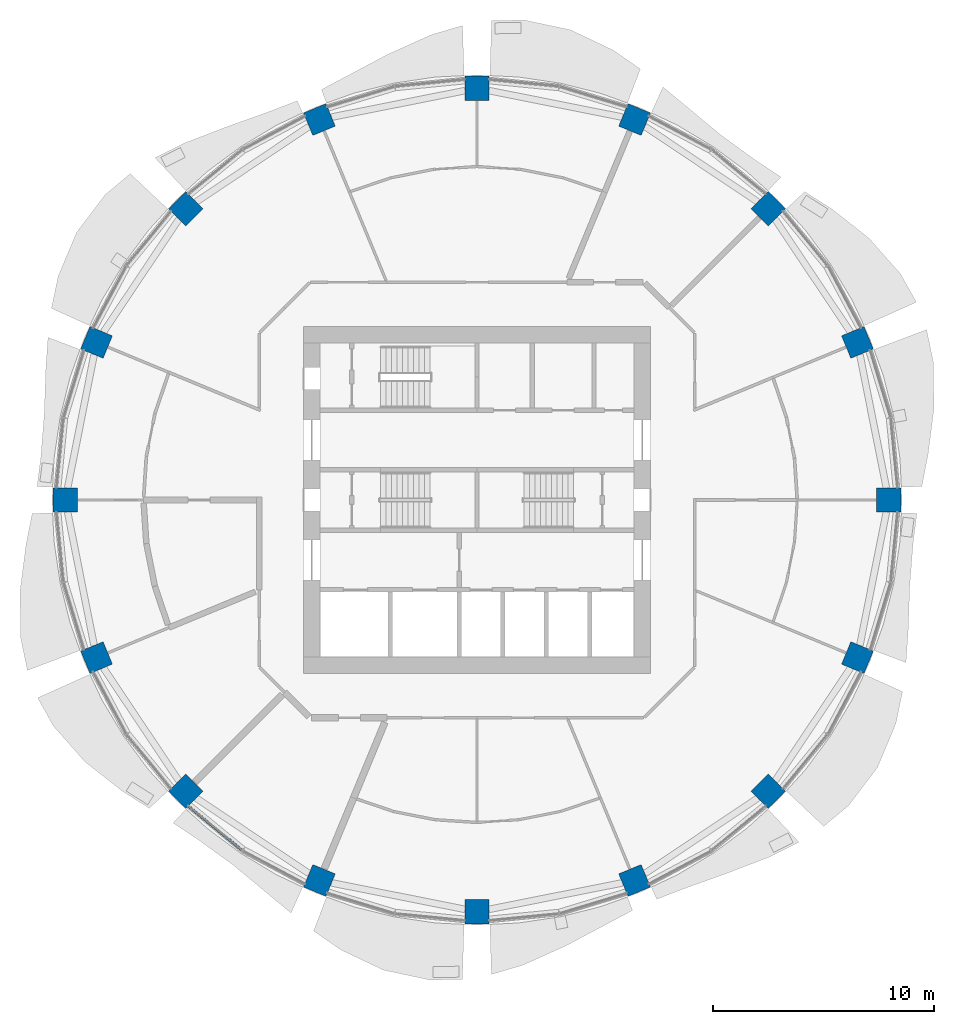
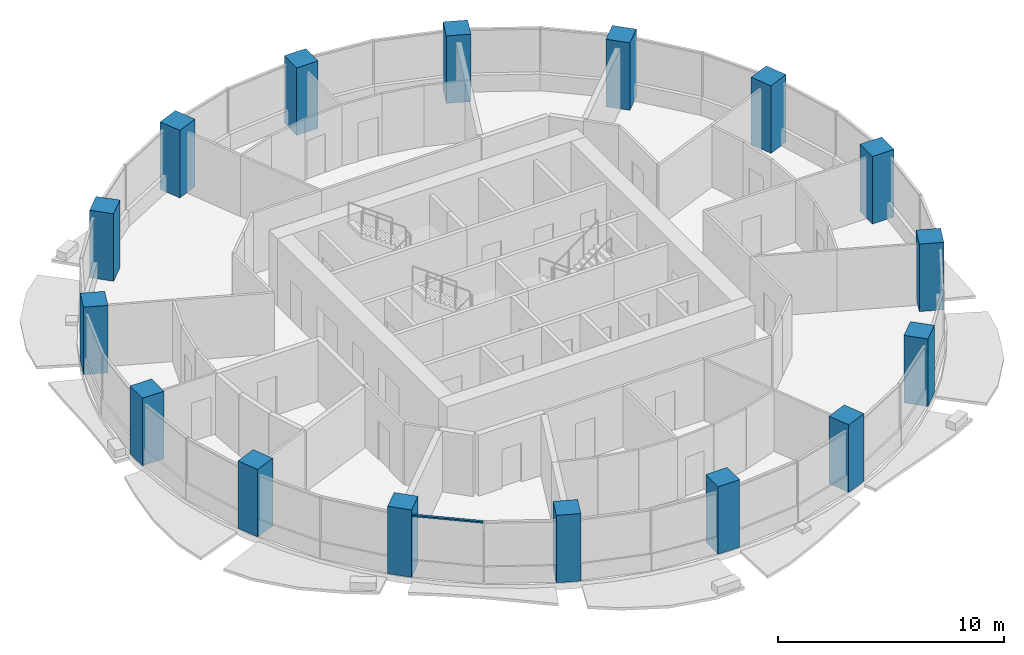
# One storey, part 1 of 14: 16 columns, 1 member, 1 element without a shape of its own.
"""IFC4 building model written with IfcOpenShell, lengths in metres."""

from ifc_helpers import new_model, si_unit, direction, frame, origin, origin_2d, place, context, subcontext, project, spatial, rectangle, extrude, material, material_profile, profile_set, type_object, element, aggregate, save


model = new_model("IFC4")

# Units and contexts
model_context = context("Model", 3, precision=1e-05, world=origin(), true_north=direction((0.0, 1.0)))
body_context = subcontext(model_context, "Body", "Model", "MODEL_VIEW")
ifc_project = project(units=[si_unit("LENGTHUNIT", "METRE"), si_unit("AREAUNIT", "SQUARE_METRE"), si_unit("VOLUMEUNIT", "CUBIC_METRE"), si_unit("PLANEANGLEUNIT", "RADIAN"), si_unit("MASSUNIT", "GRAM", prefix="KILO")], contexts=[model_context])

# Site, building, storey
site_placement = place(None, origin())
site = spatial("IfcSite", under=ifc_project, at=site_placement, CompositionType="ELEMENT")
building_placement = place(site_placement, origin())
building = spatial("IfcBuilding", under=site, at=building_placement, Name="Polderwave Tower", CompositionType="ELEMENT")
storey_placement = place(building_placement, frame((0.0, 0.0, 101.949951171875)))
storey = spatial("IfcBuildingStorey", under=building, at=storey_placement, Name="L26", CompositionType="ELEMENT", Elevation=101.949951171875)

# Columns
ifc_material_1 = material(Name="Concrete C70/85", Category="concrete")
ifc_material_profile_1 = material_profile(ifc_material_1, rectangle(XDim=1.10009765625, YDim=1.10009765625, at=origin_2d()), Name="RC 1100x1100")
ifc_profile_set_1 = profile_set([ifc_material_profile_1], Name="Concrete C70/85")
column_type = type_object("IfcColumnType", Name="RC COLUMN 1100x1100 C70/85", PredefinedType="COLUMN", material=ifc_profile_set_1)
for number, where, z_axis, x_axis, name in (
    (1, (18.669921875, 0.0, 0.0), (0.0, 0.0, 1.0), (1.0, 0.0, 0.0), "Ring column 01"),
    (2, (17.248779296875, 7.144775390625, 0.0), (0.0, 0.0, 1.0), (0.923879532511, 0.382683432365, 0.0), "Ring column 02"),
    (3, (13.20166015625, 13.20166015625, 0.0), (0.0, 0.0, 1.0), (0.707106781187, 0.707106781187, 0.0), "Ring column 03"),
    (4, (7.144775390625, 17.248779296875, 0.0), (0.0, 0.0, 1.0), (0.382683432365, 0.923879532511, 0.0), "Ring column 04"),
    (5, (0.0, 18.669921875, 0.0), (0.0, 0.0, 1.0), (0.0, 1.0, 0.0), "Ring column 05"),
    (6, (-7.144775390625, 17.248779296875, 0.0), (0.0, 0.0, 1.0), (-0.382683432365, 0.923879532511, 0.0), "Ring column 06"),
    (7, (-13.20166015625, 13.20166015625, 0.0), (0.0, 0.0, 1.0), (-0.707106781187, 0.707106781187, 0.0), "Ring column 07"),
    (8, (-17.248779296875, 7.144775390625, 0.0), (0.0, 0.0, 1.0), (-0.923879532511, 0.382683432365, 0.0), "Ring column 08"),
    (9, (-18.669921875, 0.0, 0.0), (0.0, 0.0, 1.0), (-1.0, 0.0, 0.0), "Ring column 09"),
    (10, (-17.248779296875, -7.144775390625, 0.0), (0.0, 0.0, 1.0), (-0.923879532511, -0.382683432365, 0.0), "Ring column 10"),
    (11, (-13.20166015625, -13.20166015625, 0.0), (0.0, 0.0, 1.0), (-0.707106781187, -0.707106781187, 0.0), "Ring column 11"),
    (12, (-7.144775390625, -17.248779296875, 0.0), (0.0, 0.0, 1.0), (-0.382683432365, -0.923879532511, 0.0), "Ring column 12"),
    (13, (0.0, -18.669921875, 0.0), (0.0, 0.0, 1.0), (0.0, -1.0, 0.0), "Ring column 13"),
    (14, (7.144775390625, -17.248779296875, 0.0), (0.0, 0.0, 1.0), (0.382683432365, -0.923879532511, 0.0), "Ring column 14"),
    (15, (13.20166015625, -13.20166015625, 0.0), (0.0, 0.0, 1.0), (0.707106781187, -0.707106781187, 0.0), "Ring column 15"),
    (16, (17.248779296875, -7.144775390625, 0.0), (0.0, 0.0, 1.0), (0.923879532511, -0.382683432365, 0.0), "Ring column 16"),
):
    element("IfcColumn", number, at=place(storey_placement, frame(where, z_axis=z_axis, x_axis=x_axis)), inside=storey, type_object=column_type, Name=name, PredefinedType="COLUMN", context=body_context, shape_type="SweptSolid", body=[
        extrude(rectangle(XDim=1.10009765625, YDim=1.10009765625, at=origin_2d()), origin(), (0.0, 0.0, 1.0), 3.650146484375),
    ])

# Curtain wall, member
ifc_material_2 = material(Name="Aluminium 6063-T6 and glass", Category="aluminium")
curtain_wall_type = type_object("IfcCurtainWallType", Name="Growing floor ribbon glazing wall", PredefinedType="NOTDEFINED", material=ifc_material_2)
curtain_wall_placement = place(storey_placement, origin())
curtain_wall = element("IfcCurtainWall", 17, at=curtain_wall_placement, inside=storey, type_object=curtain_wall_type, Name="CW2 L26 10", PredefinedType="NOTDEFINED")
ifc_material_3 = material(Name="Aluminium 6063-T6", Category="aluminium")
ifc_material_profile_2 = material_profile(ifc_material_3, rectangle(XDim=0.1201171875, YDim=0.080078125, at=origin_2d()), Name="AL 80x120")
ifc_profile_set_2 = profile_set([ifc_material_profile_2], Name="Aluminium 6063-T6")
member_type = type_object("IfcMemberType", Name="Growing floor ribbon glazing transom 80x120", PredefinedType="USERDEFINED", material=ifc_profile_set_2)
member_placement = place(storey_placement, frame((-13.093017578125, -13.8701171875, 3.260009765625), z_axis=(0.772891039712, -0.634538762198, 0.0), x_axis=(0.634538762198, 0.772891039712, 0.0)))
member = element("IfcMember", 18, at=member_placement, type_object=member_type, Name="CW2 transom 1", ObjectType="TRANSOM", PredefinedType="USERDEFINED", context=body_context, shape_type="SweptSolid", body=[
    extrude(rectangle(XDim=0.1201171875, YDim=0.080078125, at=origin_2d()), origin(), (0.0, 0.0, 1.0), 3.165771484375),
])
aggregate(curtain_wall, [member])

save(model, "model.ifc")
